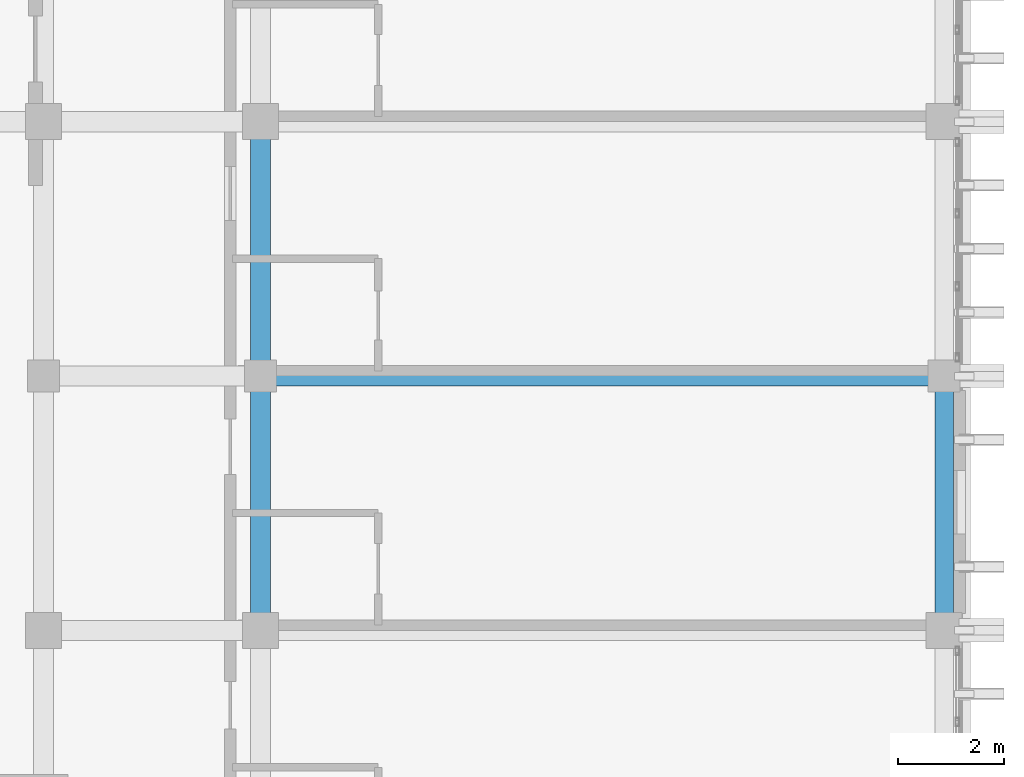
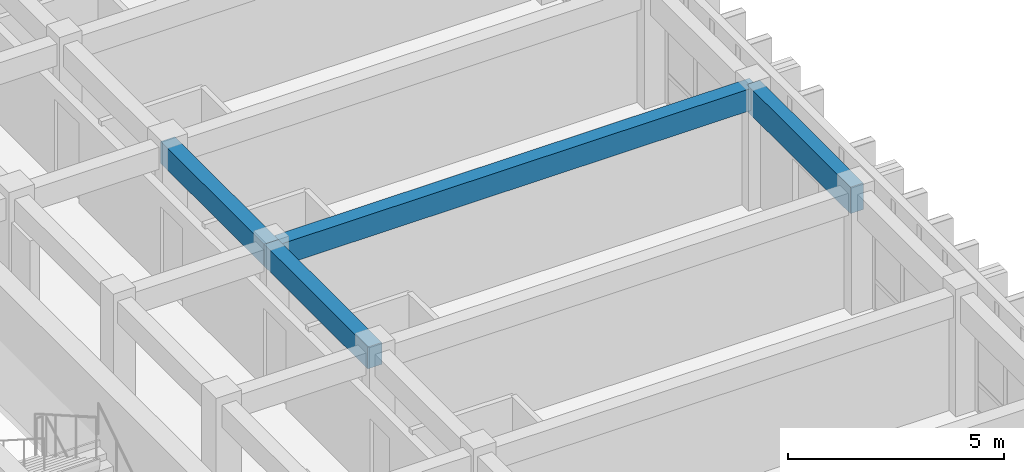
# One storey, part 33 of 53: 4 beams.
"""IFC4 building model written with IfcOpenShell, lengths in metres."""

from ifc_helpers import new_model, si_unit, direction, frame, origin, origin_2d, place, context, subcontext, project, spatial, rectangle, extrude, material, material_profile, profile_set, type_object, element, save


model = new_model("IFC4")

# Units and contexts
model_context = context("Model", 3, precision=1e-05, world=origin(), true_north=direction((0.0, 1.0)))
body_context = subcontext(model_context, "Body", "Model", "MODEL_VIEW")
ifc_project = project(units=[si_unit("LENGTHUNIT", "METRE"), si_unit("AREAUNIT", "SQUARE_METRE"), si_unit("VOLUMEUNIT", "CUBIC_METRE"), si_unit("PLANEANGLEUNIT", "RADIAN"), si_unit("MASSUNIT", "GRAM", prefix="KILO")], contexts=[model_context])

# Site, building, storey
site_placement = place(None, origin())
site = spatial("IfcSite", under=ifc_project, at=site_placement, CompositionType="ELEMENT")
building_placement = place(site_placement, origin())
building = spatial("IfcBuilding", under=site, at=building_placement, Name="Nakhvara Creek Congress Hotel", CompositionType="ELEMENT")
storey_placement = place(building_placement, frame((0.0, 0.0, 35.39990234375)))
storey = spatial("IfcBuildingStorey", under=building, at=storey_placement, Name="L08", CompositionType="ELEMENT", Elevation=35.39990234375)

# Beams
ifc_material = material(Name="Concrete C40/50", Category="concrete")
ifc_material_profile_1 = material_profile(ifc_material, rectangle(XDim=0.3798828125, YDim=0.6201171875, at=origin_2d()), Name="RC-BM 380x620", Category="LoadBearing")
ifc_profile_set_1 = profile_set([ifc_material_profile_1], Name="Concrete C40/50")
beam_type_1 = type_object("IfcBeamType", Name="BM-RC-380X620", PredefinedType="BEAM", material=ifc_profile_set_1)
beam_1_placement = place(storey_placement, frame((166.449951171875, 105.60009765625, 3.050048828125), z_axis=(0.0, 1.0, 0.0), x_axis=(-1.0, 0.0, 0.0)))
element("IfcBeam", 1, at=beam_1_placement, inside=storey, type_object=beam_type_1, Name="Beam B10-L08-2490", PredefinedType="BEAM", context=body_context, shape_type="SweptSolid", body=[
    extrude(rectangle(XDim=0.3798828125, YDim=0.6201171875, at=origin_2d()), origin(), (0.0, 0.0, 1.0), 4.7998046875),
])
beam_2_placement = place(storey_placement, frame((166.449951171875, 110.39990234375, 3.050048828125), z_axis=(0.0, 1.0, 0.0), x_axis=(-1.0, 0.0, 0.0)))
element("IfcBeam", 2, at=beam_2_placement, inside=storey, type_object=beam_type_1, Name="Beam B10-L08-2492", PredefinedType="BEAM", context=body_context, shape_type="SweptSolid", body=[
    extrude(rectangle(XDim=0.3798828125, YDim=0.6201171875, at=origin_2d()), origin(), (0.0, 0.0, 1.0), 4.800048828125),
])
beam_3_placement = place(storey_placement, frame((166.449951171875, 110.39990234375, 3.050048828125), z_axis=(1.0, 0.0, 0.0), x_axis=(0.0, 1.0, 0.0)))
element("IfcBeam", 3, at=beam_3_placement, inside=storey, type_object=beam_type_1, Name="Beam B10-L08-2531", PredefinedType="BEAM", context=body_context, shape_type="SweptSolid", body=[
    extrude(rectangle(XDim=0.3798828125, YDim=0.6201171875, at=origin_2d()), origin(), (0.0, 0.0, 1.0), 12.900146484375),
])
ifc_material_profile_2 = material_profile(ifc_material, rectangle(XDim=0.35009765625, YDim=0.75, at=origin_2d()), Name="RC-SPANDREL 350x750", Category="LoadBearing")
ifc_profile_set_2 = profile_set([ifc_material_profile_2], Name="Concrete C40/50")
beam_type_2 = type_object("IfcBeamType", Name="BM-SPN-350X750", PredefinedType="SPANDREL", material=ifc_profile_set_2)
beam_4_placement = place(storey_placement, frame((179.35009765625, 105.60009765625, 2.985107421875), z_axis=(0.0, 1.0, 0.0), x_axis=(-1.0, 0.0, 0.0)))
element("IfcBeam", 4, at=beam_4_placement, inside=storey, type_object=beam_type_2, Name="Beam SP1-L08-2507", PredefinedType="SPANDREL", context=body_context, shape_type="SweptSolid", body=[
    extrude(rectangle(XDim=0.35009765625, YDim=0.75, at=origin_2d()), origin(), (0.0, 0.0, 1.0), 4.7998046875),
])

save(model, "model.ifc")
